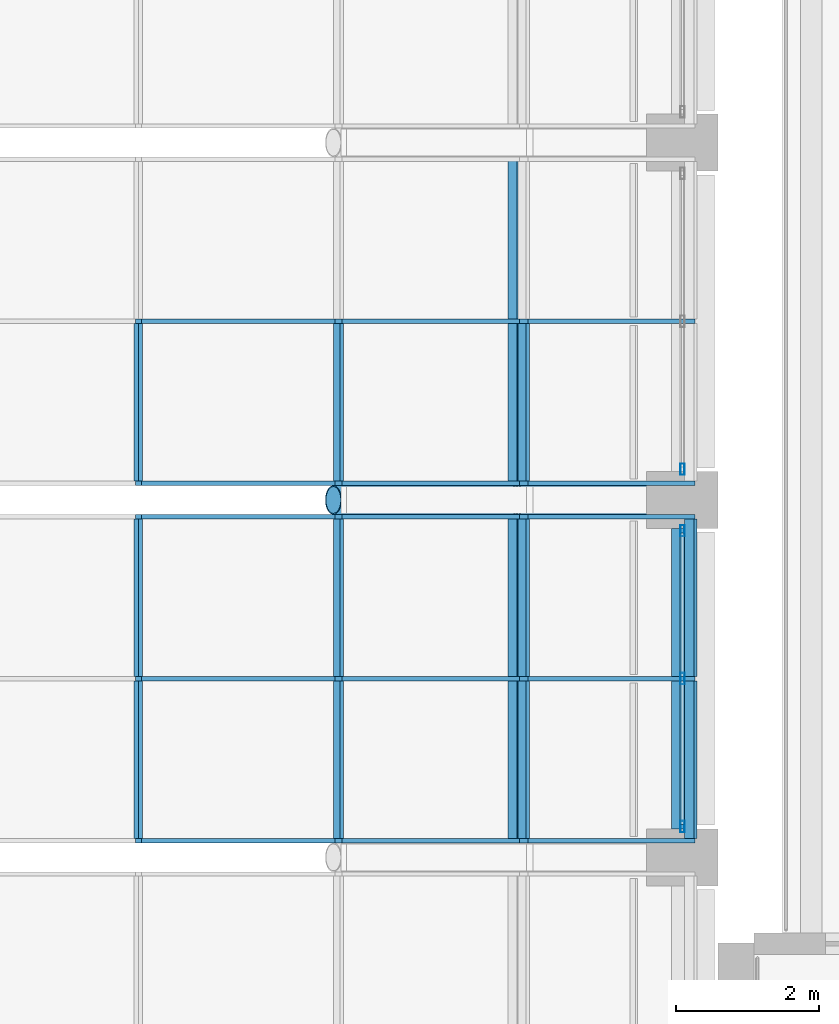
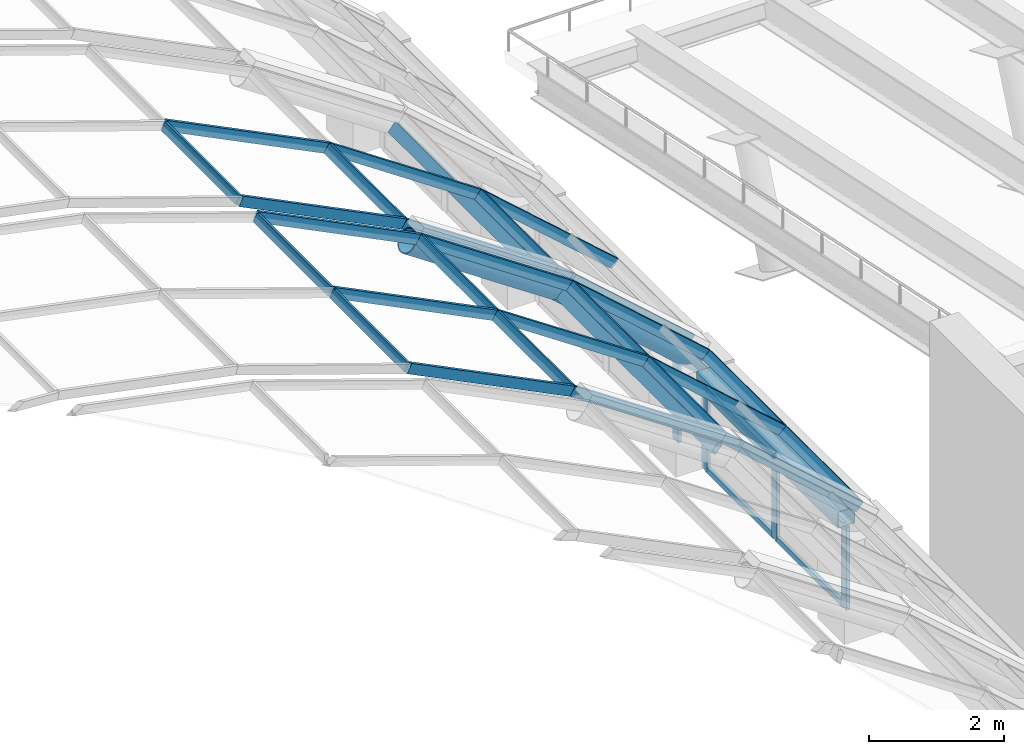
# One storey, part 84 of 182: 38 members, 1 beam, 4 elements without a shape of their own.
"""IFC4 building model written with IfcOpenShell, lengths in metres."""

from ifc_helpers import new_model, si_unit, direction, frame, origin, origin_2d, place, context, subcontext, project, spatial, rectangle, hollow_rectangle, hollow_circle, extrude, material, material_profile, profile_set, type_object, element, aggregate, save


model = new_model("IFC4")

# Units and contexts
model_context = context("Model", 3, precision=1e-05, world=origin(), true_north=direction((0.0, 1.0)))
body_context = subcontext(model_context, "Body", "Model", "MODEL_VIEW")
ifc_project = project(units=[si_unit("LENGTHUNIT", "METRE"), si_unit("AREAUNIT", "SQUARE_METRE"), si_unit("VOLUMEUNIT", "CUBIC_METRE"), si_unit("PLANEANGLEUNIT", "RADIAN"), si_unit("MASSUNIT", "GRAM", prefix="KILO")], contexts=[model_context])

# Site, building, storey
site_placement = place(None, origin())
site = spatial("IfcSite", under=ifc_project, at=site_placement, CompositionType="ELEMENT")
building_placement = place(site_placement, origin())
building = spatial("IfcBuilding", under=site, at=building_placement, Name="Okhra Congress Centre", CompositionType="ELEMENT")
storey_placement = place(building_placement, frame((0.0, 0.0, 7.199951171875)))
storey = spatial("IfcBuildingStorey", under=building, at=storey_placement, Name="L01", CompositionType="ELEMENT", Elevation=7.199951171875)

# Curtain wall, members
ifc_material_1 = material(Name="Aluminium frame with triple glazing", Category="aluminium")
curtain_wall_type_1 = type_object("IfcCurtainWallType", Name="Glazed vault bay curtain wall", PredefinedType="NOTDEFINED", material=ifc_material_1)
curtain_wall_1_placement = place(storey_placement, origin())
curtain_wall_1 = element("IfcCurtainWall", 1, at=curtain_wall_1_placement, inside=storey, type_object=curtain_wall_type_1, Name="Vault glazing bay 26", PredefinedType="NOTDEFINED")
ifc_material_2 = material(Name="Aluminium alloy 6063", Category="aluminium")
ifc_material_profile_1 = material_profile(ifc_material_2, rectangle(XDim=0.06005859375, YDim=0.179931640625, at=origin_2d()), Name="AL 60x180")
ifc_profile_set_1 = profile_set([ifc_material_profile_1], Name="Aluminium alloy 6063")
member_type_1 = type_object("IfcMemberType", Name="Aluminium mullion 60x180", PredefinedType="MULLION", material=ifc_profile_set_1)
member_1_placement = place(storey_placement, frame((181.390625, 201.233154296875, 7.1318359375), z_axis=(0.895253656313, 0.0, -0.445556832354), x_axis=(0.0, 1.0, 0.0)))
member_1 = element("IfcMember", 2, at=member_1_placement, type_object=member_type_1, Name="Vault mullion 26.1.10", PredefinedType="MULLION", context=body_context, shape_type="SweptSolid", body=[
    extrude(rectangle(XDim=0.06005859375, YDim=0.179931640625, at=origin_2d()), origin(), (0.0, 0.0, 1.0), 3.12548828125),
])
member_2_placement = place(storey_placement, frame((184.188720703125, 201.233154296875, 5.7392578125), z_axis=(0.828827846338, 0.0, -0.559503709671), x_axis=(0.0, 1.0, 0.0)))
member_2 = element("IfcMember", 3, at=member_2_placement, type_object=member_type_1, Name="Vault mullion 26.1.11", PredefinedType="MULLION", context=body_context, shape_type="SweptSolid", body=[
    extrude(rectangle(XDim=0.06005859375, YDim=0.179931640625, at=origin_2d()), origin(), (0.0, 0.0, 1.0), 3.12548828125),
])
member_3_placement = place(storey_placement, frame((186.779296875, 201.233154296875, 3.990478515625), z_axis=(0.748025229923, 0.0, -0.663670291183), x_axis=(0.0, 1.0, 0.0)))
member_3 = element("IfcMember", 4, at=member_3_placement, type_object=member_type_1, Name="Vault mullion 26.1.12", PredefinedType="MULLION", context=body_context, shape_type="SweptSolid", body=[
    extrude(rectangle(XDim=0.06005859375, YDim=0.179931640625, at=origin_2d()), origin(), (0.0, 0.0, 1.0), 3.125732421875),
])
member_4_placement = place(storey_placement, frame((181.390625, 203.5, 7.1318359375), z_axis=(0.895253656313, 0.0, -0.445556832354), x_axis=(0.0, 1.0, 0.0)))
member_4 = element("IfcMember", 5, at=member_4_placement, type_object=member_type_1, Name="Vault mullion 26.2.10", PredefinedType="MULLION", context=body_context, shape_type="SweptSolid", body=[
    extrude(rectangle(XDim=0.06005859375, YDim=0.179931640625, at=origin_2d()), origin(), (0.0, 0.0, 1.0), 3.12548828125),
])
member_5_placement = place(storey_placement, frame((184.188720703125, 203.5, 5.7392578125), z_axis=(0.828827846338, 0.0, -0.559503709671), x_axis=(0.0, 1.0, 0.0)))
member_5 = element("IfcMember", 6, at=member_5_placement, type_object=member_type_1, Name="Vault mullion 26.2.11", PredefinedType="MULLION", context=body_context, shape_type="SweptSolid", body=[
    extrude(rectangle(XDim=0.06005859375, YDim=0.179931640625, at=origin_2d()), origin(), (0.0, 0.0, 1.0), 3.12548828125),
])
member_6_placement = place(storey_placement, frame((186.779296875, 203.5, 3.990478515625), z_axis=(0.748025229923, 0.0, -0.663670291183), x_axis=(0.0, 1.0, 0.0)))
member_6 = element("IfcMember", 7, at=member_6_placement, type_object=member_type_1, Name="Vault mullion 26.2.12", PredefinedType="MULLION", context=body_context, shape_type="SweptSolid", body=[
    extrude(rectangle(XDim=0.06005859375, YDim=0.179931640625, at=origin_2d()), origin(), (0.0, 0.0, 1.0), 3.125732421875),
])
member_7_placement = place(storey_placement, frame((181.390625, 205.766845703125, 7.1318359375), z_axis=(0.895253656313, 0.0, -0.445556832354), x_axis=(0.0, 1.0, 0.0)))
member_7 = element("IfcMember", 8, at=member_7_placement, type_object=member_type_1, Name="Vault mullion 26.3.10", PredefinedType="MULLION", context=body_context, shape_type="SweptSolid", body=[
    extrude(rectangle(XDim=0.06005859375, YDim=0.179931640625, at=origin_2d()), origin(), (0.0, 0.0, 1.0), 3.12548828125),
])
member_8_placement = place(storey_placement, frame((184.188720703125, 205.766845703125, 5.7392578125), z_axis=(0.828827846338, 0.0, -0.559503709671), x_axis=(0.0, 1.0, 0.0)))
member_8 = element("IfcMember", 9, at=member_8_placement, type_object=member_type_1, Name="Vault mullion 26.3.11", PredefinedType="MULLION", context=body_context, shape_type="SweptSolid", body=[
    extrude(rectangle(XDim=0.06005859375, YDim=0.179931640625, at=origin_2d()), origin(), (0.0, 0.0, 1.0), 3.12548828125),
])
member_9_placement = place(storey_placement, frame((186.779296875, 205.766845703125, 3.990478515625), z_axis=(0.748025229923, 0.0, -0.663670291183), x_axis=(0.0, 1.0, 0.0)))
member_9 = element("IfcMember", 10, at=member_9_placement, type_object=member_type_1, Name="Vault mullion 26.3.12", PredefinedType="MULLION", context=body_context, shape_type="SweptSolid", body=[
    extrude(rectangle(XDim=0.06005859375, YDim=0.179931640625, at=origin_2d()), origin(), (0.0, 0.0, 1.0), 3.125732421875),
])

curtain_wall_2_placement = place(storey_placement, origin())
curtain_wall_2 = element("IfcCurtainWall", 11, at=curtain_wall_2_placement, inside=storey, type_object=curtain_wall_type_1, Name="Vault glazing bay 27", PredefinedType="NOTDEFINED")
member_10_placement = place(storey_placement, frame((181.390625, 206.233154296875, 7.1318359375), z_axis=(0.895253656313, 0.0, -0.445556832354), x_axis=(0.0, 1.0, 0.0)))
member_10 = element("IfcMember", 12, at=member_10_placement, type_object=member_type_1, Name="Vault mullion 27.1.10", PredefinedType="MULLION", context=body_context, shape_type="SweptSolid", body=[
    extrude(rectangle(XDim=0.06005859375, YDim=0.179931640625, at=origin_2d()), origin(), (0.0, 0.0, 1.0), 3.12548828125),
])
member_11_placement = place(storey_placement, frame((184.188720703125, 206.233154296875, 5.7392578125), z_axis=(0.828827846338, 0.0, -0.559503709671), x_axis=(0.0, 1.0, 0.0)))
member_11 = element("IfcMember", 13, at=member_11_placement, type_object=member_type_1, Name="Vault mullion 27.1.11", PredefinedType="MULLION", context=body_context, shape_type="SweptSolid", body=[
    extrude(rectangle(XDim=0.06005859375, YDim=0.179931640625, at=origin_2d()), origin(), (0.0, 0.0, 1.0), 3.12548828125),
])
member_12_placement = place(storey_placement, frame((186.779296875, 206.233154296875, 3.990478515625), z_axis=(0.748025229923, 0.0, -0.663670291183), x_axis=(0.0, 1.0, 0.0)))
member_12 = element("IfcMember", 14, at=member_12_placement, type_object=member_type_1, Name="Vault mullion 27.1.12", PredefinedType="MULLION", context=body_context, shape_type="SweptSolid", body=[
    extrude(rectangle(XDim=0.06005859375, YDim=0.179931640625, at=origin_2d()), origin(), (0.0, 0.0, 1.0), 3.125732421875),
])
member_13_placement = place(storey_placement, frame((181.390625, 208.5, 7.1318359375), z_axis=(0.895253656313, 0.0, -0.445556832354), x_axis=(0.0, 1.0, 0.0)))
member_13 = element("IfcMember", 15, at=member_13_placement, type_object=member_type_1, Name="Vault mullion 27.2.10", PredefinedType="MULLION", context=body_context, shape_type="SweptSolid", body=[
    extrude(rectangle(XDim=0.06005859375, YDim=0.179931640625, at=origin_2d()), origin(), (0.0, 0.0, 1.0), 3.12548828125),
])
member_14_placement = place(storey_placement, frame((184.188720703125, 208.5, 5.7392578125), z_axis=(0.828827846338, 0.0, -0.559503709671), x_axis=(0.0, 1.0, 0.0)))
member_14 = element("IfcMember", 16, at=member_14_placement, type_object=member_type_1, Name="Vault mullion 27.2.11", PredefinedType="MULLION", context=body_context, shape_type="SweptSolid", body=[
    extrude(rectangle(XDim=0.06005859375, YDim=0.179931640625, at=origin_2d()), origin(), (0.0, 0.0, 1.0), 3.12548828125),
])
member_15_placement = place(storey_placement, frame((186.779296875, 208.5, 3.990478515625), z_axis=(0.748025229923, 0.0, -0.663670291183), x_axis=(0.0, 1.0, 0.0)))
member_15 = element("IfcMember", 17, at=member_15_placement, type_object=member_type_1, Name="Vault mullion 27.2.12", PredefinedType="MULLION", context=body_context, shape_type="SweptSolid", body=[
    extrude(rectangle(XDim=0.06005859375, YDim=0.179931640625, at=origin_2d()), origin(), (0.0, 0.0, 1.0), 3.125732421875),
])

# Member
ifc_material_profile_2 = material_profile(ifc_material_2, rectangle(XDim=0.06005859375, YDim=0.159912109375, at=origin_2d()), Name="AL 60x160 transom")
ifc_profile_set_2 = profile_set([ifc_material_profile_2], Name="Aluminium alloy 6063")
member_type_2 = type_object("IfcMemberType", Name="Aluminium transom 60x160", PredefinedType="USERDEFINED", material=ifc_profile_set_2)
member_16_placement = place(storey_placement, frame((181.38671875, 201.26318359375, 7.12255859375), z_axis=(0.0, 1.0, 0.0), x_axis=(-0.922668973833, 0.0, 0.38559300399)))
member_16 = element("IfcMember", 18, at=member_16_placement, type_object=member_type_2, Name="Vault transom 26.1.10", ObjectType="TRANSOM", PredefinedType="USERDEFINED", context=body_context, shape_type="SweptSolid", body=[
    extrude(rectangle(XDim=0.06005859375, YDim=0.159912109375, at=origin_2d()), origin(), (0.0, 0.0, 1.0), 2.206787109375),
])

member_17_placement = place(storey_placement, frame((181.38671875, 203.530029296875, 7.12255859375), z_axis=(0.0, 1.0, 0.0), x_axis=(-0.922668973833, 0.0, 0.38559300399)))
member_17 = element("IfcMember", 19, at=member_17_placement, type_object=member_type_2, Name="Vault transom 26.2.10", ObjectType="TRANSOM", PredefinedType="USERDEFINED", context=body_context, shape_type="SweptSolid", body=[
    extrude(rectangle(XDim=0.06005859375, YDim=0.159912109375, at=origin_2d()), origin(), (0.0, 0.0, 1.0), 2.206787109375),
])

member_18_placement = place(storey_placement, frame((181.38671875, 206.26318359375, 7.12255859375), z_axis=(0.0, 1.0, 0.0), x_axis=(-0.922668973833, 0.0, 0.38559300399)))
member_18 = element("IfcMember", 20, at=member_18_placement, type_object=member_type_2, Name="Vault transom 27.1.10", ObjectType="TRANSOM", PredefinedType="USERDEFINED", context=body_context, shape_type="SweptSolid", body=[
    extrude(rectangle(XDim=0.06005859375, YDim=0.159912109375, at=origin_2d()), origin(), (0.0, 0.0, 1.0), 2.206787109375),
])

ifc_material_profile_3 = material_profile(ifc_material_2, rectangle(XDim=0.06005859375, YDim=0.179931640625, at=origin_2d()), Name="AL 60x180 transom")
ifc_profile_set_3 = profile_set([ifc_material_profile_3], Name="Aluminium alloy 6063")
member_type_3 = type_object("IfcMemberType", Name="Aluminium transom 60x180", PredefinedType="USERDEFINED", material=ifc_profile_set_3)
member_19_placement = place(storey_placement, frame((184.188720703125, 201.26318359375, 5.7392578125), z_axis=(0.0, 1.0, 0.0), x_axis=(-0.86391685861, 0.0, 0.503634452167)))
member_19 = element("IfcMember", 21, at=member_19_placement, type_object=member_type_3, Name="Vault transom 26.1.11", ObjectType="TRANSOM", PredefinedType="USERDEFINED", context=body_context, shape_type="SweptSolid", body=[
    extrude(rectangle(XDim=0.06005859375, YDim=0.179931640625, at=origin_2d()), origin(), (0.0, 0.0, 1.0), 2.206787109375),
])

member_20_placement = place(storey_placement, frame((186.779296875, 201.26318359375, 3.990478515625), z_axis=(0.0, 1.0, 0.0), x_axis=(-0.790145035185, 0.0, 0.612919915954)))
member_20 = element("IfcMember", 22, at=member_20_placement, type_object=member_type_3, Name="Vault transom 26.1.12", ObjectType="TRANSOM", PredefinedType="USERDEFINED", context=body_context, shape_type="SweptSolid", body=[
    extrude(rectangle(XDim=0.06005859375, YDim=0.179931640625, at=origin_2d()), origin(), (0.0, 0.0, 1.0), 2.206787109375),
])

member_21_placement = place(storey_placement, frame((189.117431640625, 201.26318359375, 1.916015625), z_axis=(0.0, 1.0, 0.0), x_axis=(-0.702636070549, 0.0, 0.711549402616)))
member_21 = element("IfcMember", 23, at=member_21_placement, type_object=member_type_3, Name="Vault transom 26.1.13", ObjectType="TRANSOM", PredefinedType="USERDEFINED", context=body_context, shape_type="SweptSolid", body=[
    extrude(rectangle(XDim=0.06005859375, YDim=0.179931640625, at=origin_2d()), origin(), (0.0, 0.0, 1.0), 2.206787109375),
])

member_22_placement = place(storey_placement, frame((184.188720703125, 203.530029296875, 5.7392578125), z_axis=(0.0, 1.0, 0.0), x_axis=(-0.86391685861, 0.0, 0.503634452167)))
member_22 = element("IfcMember", 24, at=member_22_placement, type_object=member_type_3, Name="Vault transom 26.2.11", ObjectType="TRANSOM", PredefinedType="USERDEFINED", context=body_context, shape_type="SweptSolid", body=[
    extrude(rectangle(XDim=0.06005859375, YDim=0.179931640625, at=origin_2d()), origin(), (0.0, 0.0, 1.0), 2.206787109375),
])

member_23_placement = place(storey_placement, frame((186.779296875, 203.530029296875, 3.990478515625), z_axis=(0.0, 1.0, 0.0), x_axis=(-0.790145035185, 0.0, 0.612919915954)))
member_23 = element("IfcMember", 25, at=member_23_placement, type_object=member_type_3, Name="Vault transom 26.2.12", ObjectType="TRANSOM", PredefinedType="USERDEFINED", context=body_context, shape_type="SweptSolid", body=[
    extrude(rectangle(XDim=0.06005859375, YDim=0.179931640625, at=origin_2d()), origin(), (0.0, 0.0, 1.0), 2.206787109375),
])

member_24_placement = place(storey_placement, frame((189.117431640625, 203.530029296875, 1.916015625), z_axis=(0.0, 1.0, 0.0), x_axis=(-0.702636070549, 0.0, 0.711549402616)))
member_24 = element("IfcMember", 26, at=member_24_placement, type_object=member_type_3, Name="Vault transom 26.2.13", ObjectType="TRANSOM", PredefinedType="USERDEFINED", context=body_context, shape_type="SweptSolid", body=[
    extrude(rectangle(XDim=0.06005859375, YDim=0.179931640625, at=origin_2d()), origin(), (0.0, 0.0, 1.0), 2.206787109375),
])

aggregate(curtain_wall_1, [member_1, member_2, member_3, member_4, member_5, member_6, member_7, member_8, member_9, member_16, member_19, member_20, member_21, member_17, member_22, member_23, member_24])

member_25_placement = place(storey_placement, frame((184.188720703125, 206.26318359375, 5.7392578125), z_axis=(0.0, 1.0, 0.0), x_axis=(-0.86391685861, 0.0, 0.503634452167)))
member_25 = element("IfcMember", 27, at=member_25_placement, type_object=member_type_3, Name="Vault transom 27.1.11", ObjectType="TRANSOM", PredefinedType="USERDEFINED", context=body_context, shape_type="SweptSolid", body=[
    extrude(rectangle(XDim=0.06005859375, YDim=0.179931640625, at=origin_2d()), origin(), (0.0, 0.0, 1.0), 2.206787109375),
])

member_26_placement = place(storey_placement, frame((186.779296875, 206.26318359375, 3.990478515625), z_axis=(0.0, 1.0, 0.0), x_axis=(-0.790145035185, 0.0, 0.612919915954)))
member_26 = element("IfcMember", 28, at=member_26_placement, type_object=member_type_3, Name="Vault transom 27.1.12", ObjectType="TRANSOM", PredefinedType="USERDEFINED", context=body_context, shape_type="SweptSolid", body=[
    extrude(rectangle(XDim=0.06005859375, YDim=0.179931640625, at=origin_2d()), origin(), (0.0, 0.0, 1.0), 2.206787109375),
])

aggregate(curtain_wall_2, [member_10, member_11, member_12, member_13, member_14, member_15, member_18, member_25, member_26])

# Curtain wall, members
ifc_material_3 = material(Name="Aluminium curtain wall, triple glazing", Category="aluminium")
curtain_wall_type_2 = type_object("IfcCurtainWallType", Name="Curtain wall 2100 module", PredefinedType="NOTDEFINED", material=ifc_material_3)
curtain_wall_3_placement = place(storey_placement, origin())
curtain_wall_3 = element("IfcCurtainWall", 29, at=curtain_wall_3_placement, inside=storey, type_object=curtain_wall_type_2, Name="East bay 7 clerestory glazing", PredefinedType="NOTDEFINED")
ifc_material_4 = material(Name="Aluminium alloy EN AW-6063 T66", Category="aluminium")
ifc_material_profile_4 = material_profile(ifc_material_4, hollow_rectangle(XDim=0.06005859375, YDim=0.159912109375, WallThickness=0.00390625, at=origin_2d()), Name="RHS 60x160x4")
ifc_profile_set_4 = profile_set([ifc_material_profile_4], Name="Aluminium alloy EN AW-6063 T66")
member_type_4 = type_object("IfcMemberType", Name="Curtain wall mullion 60x160", PredefinedType="MULLION", material=ifc_profile_set_4)
member_27_placement = place(storey_placement, frame((189.0, 201.429931640625, 0.0), z_axis=(0.0, 0.0, 1.0), x_axis=(-1.0, 0.0, 0.0)))
member_27 = element("IfcMember", 30, at=member_27_placement, type_object=member_type_4, Name="CW4 mullion 1", PredefinedType="MULLION", context=body_context, shape_type="SweptSolid", body=[
    extrude(hollow_rectangle(XDim=0.06005859375, YDim=0.159912109375, WallThickness=0.00390625, at=origin_2d()), origin(), (0.0, 0.0, 1.0), 1.5),
])
member_28_placement = place(storey_placement, frame((189.0, 203.5, 0.0), z_axis=(0.0, 0.0, 1.0), x_axis=(-1.0, 0.0, 0.0)))
member_28 = element("IfcMember", 31, at=member_28_placement, type_object=member_type_4, Name="CW4 mullion 2", PredefinedType="MULLION", context=body_context, shape_type="SweptSolid", body=[
    extrude(hollow_rectangle(XDim=0.06005859375, YDim=0.159912109375, WallThickness=0.00390625, at=origin_2d()), origin(), (0.0, 0.0, 1.0), 1.5),
])
member_29_placement = place(storey_placement, frame((189.0, 205.570068359375, 0.0), z_axis=(0.0, 0.0, 1.0), x_axis=(-1.0, 0.0, 0.0)))
member_29 = element("IfcMember", 32, at=member_29_placement, type_object=member_type_4, Name="CW4 mullion 3", PredefinedType="MULLION", context=body_context, shape_type="SweptSolid", body=[
    extrude(hollow_rectangle(XDim=0.06005859375, YDim=0.159912109375, WallThickness=0.00390625, at=origin_2d()), origin(), (0.0, 0.0, 1.0), 1.5),
])

# Curtain wall, member
curtain_wall_4_placement = place(storey_placement, origin())
curtain_wall_4 = element("IfcCurtainWall", 33, at=curtain_wall_4_placement, inside=storey, type_object=curtain_wall_type_2, Name="East bay 8 clerestory glazing", PredefinedType="NOTDEFINED")
member_30_placement = place(storey_placement, frame((189.0, 206.429931640625, 0.0), z_axis=(0.0, 0.0, 1.0), x_axis=(-1.0, 0.0, 0.0)))
member_30 = element("IfcMember", 34, at=member_30_placement, type_object=member_type_4, Name="CW4 mullion 1", PredefinedType="MULLION", context=body_context, shape_type="SweptSolid", body=[
    extrude(hollow_rectangle(XDim=0.06005859375, YDim=0.159912109375, WallThickness=0.00390625, at=origin_2d()), origin(), (0.0, 0.0, 1.0), 1.5),
])
aggregate(curtain_wall_4, [member_30])

# Member
ifc_material_profile_5 = material_profile(ifc_material_4, hollow_rectangle(XDim=0.06005859375, YDim=0.10009765625, WallThickness=0.00390625, at=origin_2d()), Name="RHS 60x100x4")
ifc_profile_set_5 = profile_set([ifc_material_profile_5], Name="Aluminium alloy EN AW-6063 T66")
member_type_5 = type_object("IfcMemberType", Name="Curtain wall transom 60x100", PredefinedType="USERDEFINED", material=ifc_profile_set_5)
member_31_placement = place(storey_placement, frame((189.0, 201.4599609375, 0.030029296875), z_axis=(0.0, 1.0, 0.0), x_axis=(-1.0, 0.0, 0.0)))
member_31 = element("IfcMember", 35, at=member_31_placement, type_object=member_type_5, Name="CW4 transom 1.1", ObjectType="TRANSOM", PredefinedType="USERDEFINED", context=body_context, shape_type="SweptSolid", body=[
    extrude(hollow_rectangle(XDim=0.06005859375, YDim=0.10009765625, WallThickness=0.00390625, at=origin_2d()), origin(), (0.0, 0.0, 1.0), 2.010009765625),
])

member_32_placement = place(storey_placement, frame((189.0, 201.4599609375, 1.469970703125), z_axis=(0.0, 1.0, 0.0), x_axis=(-1.0, 0.0, 0.0)))
member_32 = element("IfcMember", 36, at=member_32_placement, type_object=member_type_5, Name="CW4 transom 1.2", ObjectType="TRANSOM", PredefinedType="USERDEFINED", context=body_context, shape_type="SweptSolid", body=[
    extrude(hollow_rectangle(XDim=0.06005859375, YDim=0.10009765625, WallThickness=0.00390625, at=origin_2d()), origin(), (0.0, 0.0, 1.0), 2.010009765625),
])

member_33_placement = place(storey_placement, frame((189.0, 203.530029296875, 0.030029296875), z_axis=(0.0, 1.0, 0.0), x_axis=(-1.0, 0.0, 0.0)))
member_33 = element("IfcMember", 37, at=member_33_placement, type_object=member_type_5, Name="CW4 transom 2.1", ObjectType="TRANSOM", PredefinedType="USERDEFINED", context=body_context, shape_type="SweptSolid", body=[
    extrude(hollow_rectangle(XDim=0.06005859375, YDim=0.10009765625, WallThickness=0.00390625, at=origin_2d()), origin(), (0.0, 0.0, 1.0), 2.010009765625),
])

member_34_placement = place(storey_placement, frame((189.0, 203.530029296875, 1.469970703125), z_axis=(0.0, 1.0, 0.0), x_axis=(-1.0, 0.0, 0.0)))
member_34 = element("IfcMember", 38, at=member_34_placement, type_object=member_type_5, Name="CW4 transom 2.2", ObjectType="TRANSOM", PredefinedType="USERDEFINED", context=body_context, shape_type="SweptSolid", body=[
    extrude(hollow_rectangle(XDim=0.06005859375, YDim=0.10009765625, WallThickness=0.00390625, at=origin_2d()), origin(), (0.0, 0.0, 1.0), 2.010009765625),
])

aggregate(curtain_wall_3, [member_27, member_28, member_29, member_31, member_32, member_33, member_34])

# Beam
ifc_material_5 = material(Name="Steel S355J2", Category="steel")
ifc_material_profile_6 = material_profile(ifc_material_5, hollow_rectangle(XDim=0.300048828125, YDim=0.300048828125, WallThickness=0.012451171875, at=origin_2d()), Name="RHS 300x300x12.5")
ifc_profile_set_6 = profile_set([ifc_material_profile_6], Name="Steel S355J2")
beam_type = type_object("IfcBeamType", Name="Steel eaves beam RHS 300x300x12.5", PredefinedType="BEAM", material=ifc_profile_set_6)
beam_placement = place(storey_placement, frame((189.0, 201.39990234375, 1.650146484375), z_axis=(0.0, 1.0, 0.0), x_axis=(-1.0, 0.0, 0.0)))
element("IfcBeam", 39, at=beam_placement, inside=storey, type_object=beam_type, Name="Eaves beam E26", PredefinedType="BEAM", context=body_context, shape_type="SweptSolid", body=[
    extrude(hollow_rectangle(XDim=0.300048828125, YDim=0.300048828125, WallThickness=0.012451171875, at=origin_2d()), origin(), (0.0, 0.0, 1.0), 4.2001953125),
])

# Members
ifc_material_profile_7 = material_profile(ifc_material_5, hollow_rectangle(XDim=0.10009765625, YDim=0.199951171875, WallThickness=0.008056640625, at=origin_2d()), Name="RHS 200x100x8")
ifc_profile_set_7 = profile_set([ifc_material_profile_7], Name="Steel S355J2")
member_type_6 = type_object("IfcMemberType", Name="Steel purlin RHS 200x100x8", PredefinedType="PURLIN", material=ifc_profile_set_7)
for number, where, z_axis, x_axis, name in (
    (40, (186.662841796875, 201.203125, 3.84033203125), (0.0, 1.0, 0.0), (-0.790145035185, 0.0, 0.612919915954), "Vault purlin 26.11"),
    (41, (186.662841796875, 206.203125, 3.84033203125), (0.0, 1.0, 0.0), (-0.790145035185, 0.0, 0.612919915954), "Vault purlin 27.11"),
):
    element("IfcMember", number, at=place(storey_placement, frame(where, z_axis=z_axis, x_axis=x_axis)), inside=storey, type_object=member_type_6, Name=name, PredefinedType="PURLIN", context=body_context, shape_type="SweptSolid", body=[
        extrude(hollow_rectangle(XDim=0.10009765625, YDim=0.199951171875, WallThickness=0.008056640625, at=origin_2d()), origin(), (0.0, 0.0, 1.0), 4.59375),
    ])
ifc_material_profile_8 = material_profile(ifc_material_5, hollow_circle(Radius=0.203125, WallThickness=0.01611328125, at=origin_2d()), Name="CHS 406.4x16")
ifc_profile_set_8 = profile_set([ifc_material_profile_8], Name="Steel S355J2")
member_type_7 = type_object("IfcMemberType", Name="Tubular steel arch rib CHS 406x16", PredefinedType="USERDEFINED", material=ifc_profile_set_8)
member_35_placement = place(storey_placement, frame((184.116943359375, 206.0, 5.589111328125), z_axis=(0.82882567543, 0.0, -0.559506925558), x_axis=(0.0, 1.0, 0.0)))
element("IfcMember", 42, at=member_35_placement, inside=storey, type_object=member_type_7, Name="Arch rib 27.11", ObjectType="Arch rib", PredefinedType="USERDEFINED", context=body_context, shape_type="SweptSolid", body=[
    extrude(hollow_circle(Radius=0.203125, WallThickness=0.01611328125, at=origin_2d()), origin(), (0.0, 0.0, 1.0), 3.07666015625),
])
member_36_placement = place(storey_placement, frame((186.6884765625, 206.0, 3.85107421875), z_axis=(0.74799336374, 0.0, -0.663706205938), x_axis=(0.0, 1.0, 0.0)))
element("IfcMember", 43, at=member_36_placement, inside=storey, type_object=member_type_7, Name="Arch rib 27.12", ObjectType="Arch rib", PredefinedType="USERDEFINED", context=body_context, shape_type="SweptSolid", body=[
    extrude(hollow_circle(Radius=0.203125, WallThickness=0.01611328125, at=origin_2d()), origin(), (0.0, 0.0, 1.0), 3.3193359375),
])

save(model, "model.ifc")
